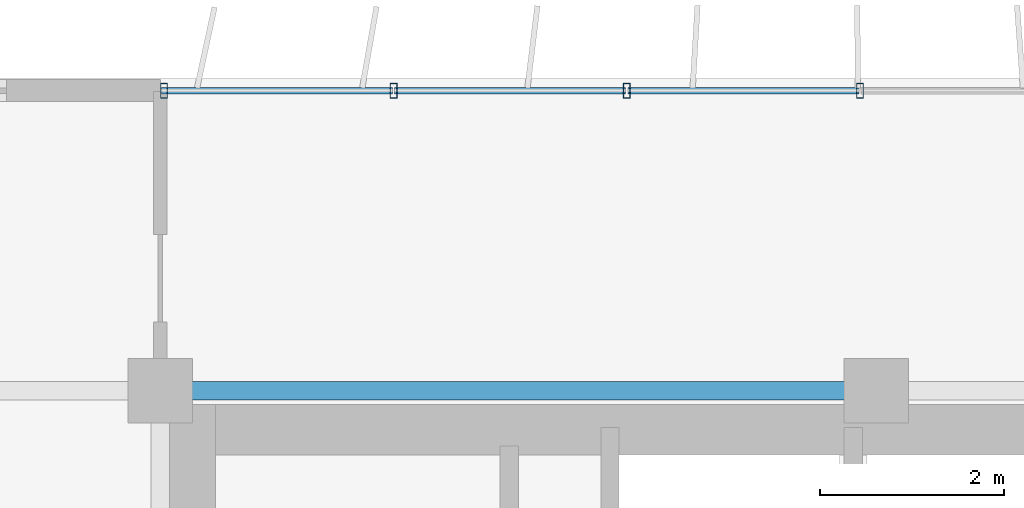
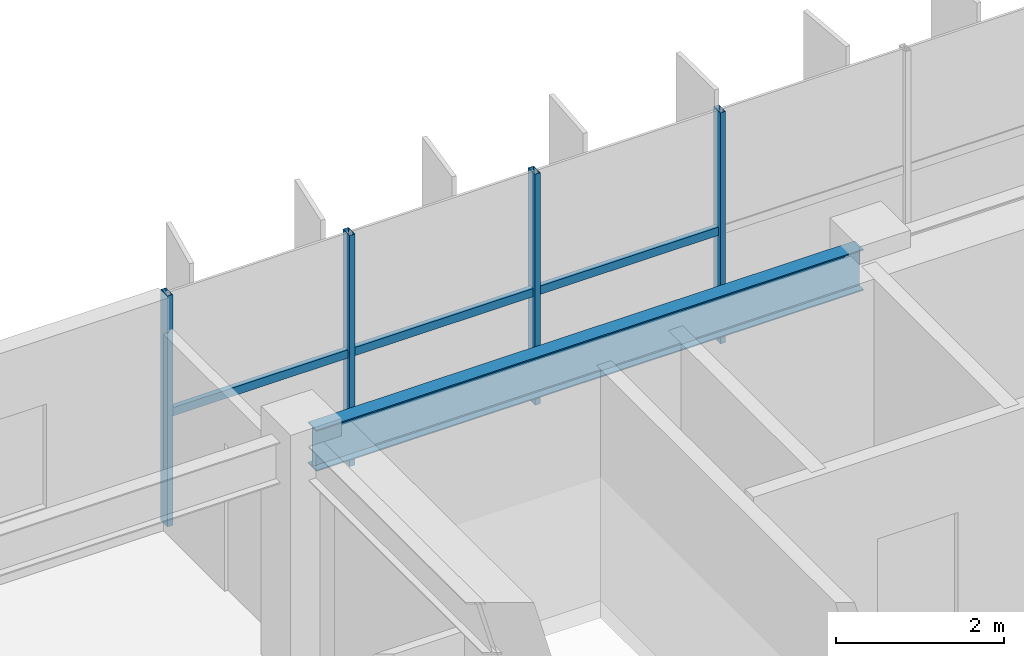
# One storey, part 4 of 20: 7 members, 1 beam, 1 element without a shape of its own.
"""IFC4 building model written with IfcOpenShell, lengths in metres."""

from ifc_helpers import new_model, si_unit, direction, frame, origin, origin_2d, place, context, subcontext, project, spatial, hollow_rectangle, i_section, extrude, source, transform, mapped, material, material_profile, profile_set, type_object, element, aggregate, save


model = new_model("IFC4")

# Units and contexts
model_context = context("Model", 3, precision=1e-05, world=origin(), true_north=direction((0.0, 1.0)))
body_context = subcontext(model_context, "Body", "Model", "MODEL_VIEW")
ifc_project = project(units=[si_unit("LENGTHUNIT", "METRE"), si_unit("AREAUNIT", "SQUARE_METRE"), si_unit("VOLUMEUNIT", "CUBIC_METRE"), si_unit("PLANEANGLEUNIT", "RADIAN"), si_unit("MASSUNIT", "GRAM", prefix="KILO")], contexts=[model_context])

# Site, building, storey
site_placement = place(None, origin())
site = spatial("IfcSite", under=ifc_project, at=site_placement, CompositionType="ELEMENT")
building_placement = place(site_placement, origin())
building = spatial("IfcBuilding", under=site, at=building_placement, Name="Trelvane Seafront Commons", CompositionType="ELEMENT")
storey_placement = place(building_placement, frame((0.0, 0.0, 164.5)))
storey = spatial("IfcBuildingStorey", under=building, at=storey_placement, Name="L43", CompositionType="ELEMENT", Elevation=164.5)

# Beam
ifc_material_1 = material(Name="Steel SM355 (S355)", Category="steel")
ifc_material_profile_1 = material_profile(ifc_material_1, i_section(OverallWidth=0.199951171875, OverallDepth=0.60009765625, WebThickness=0.010986328125, FlangeThickness=0.01708984375, at=origin_2d()), Name="H-600x200x11x17")
ifc_profile_set_1 = profile_set([ifc_material_profile_1], Name="Steel SM355 (S355)")
beam_type = type_object("IfcBeamType", Name="STR-SPD-H600", PredefinedType="SPANDREL", material=ifc_profile_set_1)
shared_shape_1 = source(origin(), body_context, "Body", "SweptSolid", [
    extrude(i_section(OverallWidth=0.199951171875, OverallDepth=0.60009765625, WebThickness=0.010986328125, FlangeThickness=0.01708984375, at=origin_2d()), origin(), (0.0, 0.0, 1.0), 7.5),
])
beam_placement = place(storey_placement, frame((15.75, 45.10009765625, 3.050048828125), z_axis=(1.0, 0.0, 0.0), x_axis=(0.0, 1.0, 0.0)))
element("IfcBeam", 1, at=beam_placement, inside=storey, type_object=beam_type, Name="L43 Primary Girder G-23", PredefinedType="SPANDREL", context=body_context, shape_type="MappedRepresentation", body=[
    mapped(shared_shape_1, transform((0.0, 0.0, 0.0), x_axis=(1.0, 0.0, 0.0), y_axis=(0.0, 1.0, 0.0), z_axis=(0.0, 0.0, 1.0), scale=1.0)),
])

# Curtain wall, members
ifc_material_2 = material(Name="Anodised pale-silver aluminium", Category="aluminium")
curtain_wall_type = type_object("IfcCurtainWallType", Name="ARCH-CW5-UPTOWER", PredefinedType="NOTDEFINED", material=ifc_material_2)
curtain_wall_placement = place(storey_placement, origin())
curtain_wall = element("IfcCurtainWall", 2, at=curtain_wall_placement, inside=storey, type_object=curtain_wall_type, Name="CW-L43-0070", PredefinedType="NOTDEFINED")
ifc_material_profile_2 = material_profile(ifc_material_2, hollow_rectangle(XDim=0.070068359375, YDim=0.1201171875, WallThickness=0.00390625, at=origin_2d()), Name="TRAN-70x120x4")
ifc_profile_set_2 = profile_set([ifc_material_profile_2], Name="Anodised pale-silver aluminium")
member_type_1 = type_object("IfcMemberType", Name="ARCH-CW-TRAN-120", PredefinedType="USERDEFINED", material=ifc_profile_set_2)
shared_shape_2 = source(origin(), body_context, "Body", "SweptSolid", [
    extrude(hollow_rectangle(XDim=0.070068359375, YDim=0.1201171875, WallThickness=0.00390625, at=origin_2d()), origin(), (0.0, 0.0, 1.0), 2.51708984375),
])
member_1_placement = place(storey_placement, frame((15.612060546875, 48.3701171875, 1.60791015625), z_axis=(1.0, 0.0, 0.0), x_axis=(0.0, 1.0, 0.0)))
member_1 = element("IfcMember", 3, at=member_1_placement, type_object=member_type_1, Name="CW-L43-0070-T00", ObjectType="TRANSOM", PredefinedType="USERDEFINED", context=body_context, shape_type="MappedRepresentation", body=[
    mapped(shared_shape_2, transform((0.0, 0.0, 0.0), x_axis=(1.0, 0.0, 0.0), y_axis=(0.0, 1.0, 0.0), z_axis=(0.0, 0.0, 1.0), scale=1.0)),
])
member_2_placement = place(storey_placement, frame((18.1533203125, 48.3701171875, 1.60791015625), z_axis=(1.0, 0.0, 0.0), x_axis=(0.0, 1.0, 0.0)))
member_2 = element("IfcMember", 4, at=member_2_placement, type_object=member_type_1, Name="CW-L43-0070-T01", ObjectType="TRANSOM", PredefinedType="USERDEFINED", context=body_context, shape_type="MappedRepresentation", body=[
    mapped(shared_shape_2, transform((0.0, 0.0, 0.0), x_axis=(1.0, 0.0, 0.0), y_axis=(0.0, 1.0, 0.0), z_axis=(0.0, 0.0, 1.0), scale=1.0)),
])
member_3_placement = place(storey_placement, frame((20.6943359375, 48.3701171875, 1.60791015625), z_axis=(1.0, 0.0, 0.0), x_axis=(0.0, 1.0, 0.0)))
member_3 = element("IfcMember", 5, at=member_3_placement, type_object=member_type_1, Name="CW-L43-0070-T02", ObjectType="TRANSOM", PredefinedType="USERDEFINED", context=body_context, shape_type="MappedRepresentation", body=[
    mapped(shared_shape_2, transform((0.0, 0.0, 0.0), x_axis=(1.0, 0.0, 0.0), y_axis=(0.0, 1.0, 0.0), z_axis=(0.0, 0.0, 1.0), scale=1.0)),
])
ifc_material_profile_3 = material_profile(ifc_material_2, hollow_rectangle(XDim=0.074951171875, YDim=0.159912109375, WallThickness=0.00390625, at=origin_2d()), Name="MULL-75x160x4")
ifc_profile_set_3 = profile_set([ifc_material_profile_3], Name="Anodised pale-silver aluminium")
member_type_2 = type_object("IfcMemberType", Name="ARCH-CW-MULL-160", PredefinedType="MULLION", material=ifc_profile_set_3)
shared_shape_3 = source(origin(), body_context, "Body", "SweptSolid", [
    extrude(hollow_rectangle(XDim=0.074951171875, YDim=0.159912109375, WallThickness=0.00390625, at=origin_2d()), origin(), (0.0, 0.0, 1.0), 3.35009765625),
])
member_4_placement = place(storey_placement, frame((15.639892578125, 48.3701171875, 0.0), z_axis=(0.0, 0.0, 1.0), x_axis=(1.0, 0.0, 0.0)))
member_4 = element("IfcMember", 6, at=member_4_placement, type_object=member_type_2, Name="CW-L43-0070-M00", PredefinedType="MULLION", context=body_context, shape_type="MappedRepresentation", body=[
    mapped(shared_shape_3, transform((0.0, 0.0, 0.0), x_axis=(1.0, 0.0, 0.0), y_axis=(0.0, 1.0, 0.0), z_axis=(0.0, 0.0, 1.0), scale=1.0)),
])
member_5_placement = place(storey_placement, frame((18.14111328125, 48.3701171875, 0.0), z_axis=(0.0, 0.0, 1.0), x_axis=(1.0, 0.0, 0.0)))
member_5 = element("IfcMember", 7, at=member_5_placement, type_object=member_type_2, Name="CW-L43-0070-M01", PredefinedType="MULLION", context=body_context, shape_type="MappedRepresentation", body=[
    mapped(shared_shape_3, transform((0.0, 0.0, 0.0), x_axis=(1.0, 0.0, 0.0), y_axis=(0.0, 1.0, 0.0), z_axis=(0.0, 0.0, 1.0), scale=1.0)),
])
member_6_placement = place(storey_placement, frame((20.682373046875, 48.3701171875, 0.0), z_axis=(0.0, 0.0, 1.0), x_axis=(1.0, 0.0, 0.0)))
member_6 = element("IfcMember", 8, at=member_6_placement, type_object=member_type_2, Name="CW-L43-0070-M02", PredefinedType="MULLION", context=body_context, shape_type="MappedRepresentation", body=[
    mapped(shared_shape_3, transform((0.0, 0.0, 0.0), x_axis=(1.0, 0.0, 0.0), y_axis=(0.0, 1.0, 0.0), z_axis=(0.0, 0.0, 1.0), scale=1.0)),
])
member_7_placement = place(storey_placement, frame((23.223388671875, 48.3701171875, 0.0), z_axis=(0.0, 0.0, 1.0), x_axis=(1.0, 0.0, 0.0)))
member_7 = element("IfcMember", 9, at=member_7_placement, type_object=member_type_2, Name="CW-L43-0070-M03", PredefinedType="MULLION", context=body_context, shape_type="MappedRepresentation", body=[
    mapped(shared_shape_3, transform((0.0, 0.0, 0.0), x_axis=(1.0, 0.0, 0.0), y_axis=(0.0, 1.0, 0.0), z_axis=(0.0, 0.0, 1.0), scale=1.0)),
])
aggregate(curtain_wall, [member_4, member_5, member_6, member_7, member_1, member_2, member_3])

save(model, "model.ifc")
